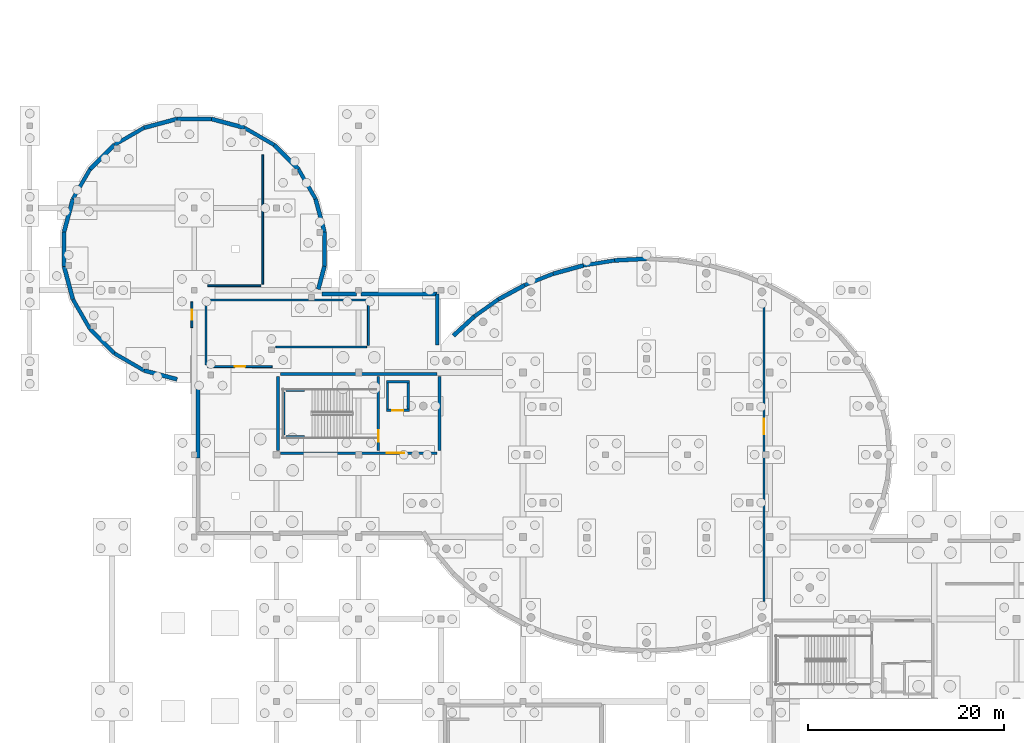
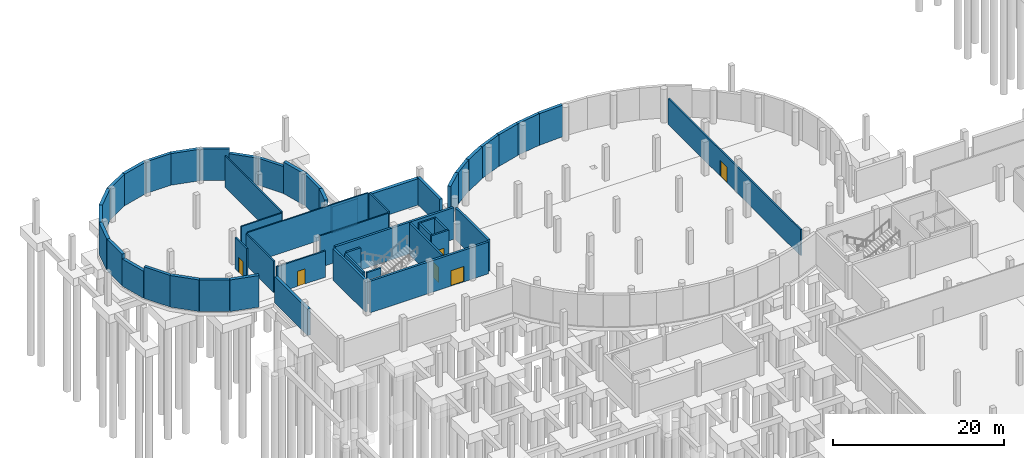
# One storey, part 16 of 24: 51 walls, 6 doors, 6 openings.
"""IFC4 building model written with IfcOpenShell, lengths in metres."""

from ifc_helpers import new_model, si_unit, derived_unit, direction, frame, frame_2d, origin, place, context, subcontext, project, spatial, rectangle, extrude, material, layer, layer_set, type_object, element, fill, save


model = new_model("IFC4")

# Units and contexts
model_context = context("Model", 3, precision=1e-05, world=origin(), true_north=direction((0.0, 1.0)))
body_context = subcontext(model_context, "Body", "Model", "MODEL_VIEW")
ifc_project = project(units=[si_unit("LENGTHUNIT", "METRE"), si_unit("AREAUNIT", "SQUARE_METRE"), si_unit("VOLUMEUNIT", "CUBIC_METRE"), si_unit("PLANEANGLEUNIT", "RADIAN"), si_unit("MASSUNIT", "GRAM", prefix="KILO"), derived_unit("THERMALTRANSMITTANCEUNIT", [(si_unit("POWERUNIT", "WATT"), 1), (si_unit("LENGTHUNIT", "METRE"), -2), (si_unit("THERMODYNAMICTEMPERATUREUNIT", "KELVIN"), -1)])], contexts=[model_context])

# Site, building, storey
site_placement = place(None, origin())
site = spatial("IfcSite", under=ifc_project, at=site_placement, CompositionType="ELEMENT")
building_placement = place(site_placement, origin())
building = spatial("IfcBuilding", under=site, at=building_placement, Name="Elbkamm Science Centre", CompositionType="ELEMENT")
storey_placement = place(building_placement, frame((0.0, 0.0, -4.800048828125)))
storey = spatial("IfcBuildingStorey", under=building, at=storey_placement, Name="B01", CompositionType="ELEMENT", Elevation=-4.800048828125)

# Walls
ifc_material_1 = material(Name="Reinforced concrete C40/50", Category="concrete")
ifc_layer_1 = layer(ifc_material_1, 0.25)
ifc_layer_set_1 = layer_set([ifc_layer_1], Name="Reinforced concrete C40/50")
wall_type_1 = type_object("IfcWallType", Name="WL-CORE-250", PredefinedType="SHEAR", material=ifc_layer_set_1)
wall_1_placement = place(storey_placement, frame((25.93994140625, 69.219970703125, 0.0), z_axis=(0.0, 0.0, 1.0), x_axis=(0.0, 1.0, 0.0)))
element("IfcWall", 1, at=wall_1_placement, inside=storey, type_object=wall_type_1, Name="B01 ST-C1 Shaft Bearing Wall W", PredefinedType="SHEAR", context=body_context, shape_type="SweptSolid", body=[
    extrude(rectangle(XDim=4.360107421875, YDim=0.25, at=frame_2d((2.18017578125, 0.0))), origin(), (0.0, 0.0, 1.0), 4.5),
])
for number, where, z_axis, x_axis, name in (
    (2, (26.18994140625, 69.02001953125, 0.0), (0.0, 0.0, 1.0), (1.0, 0.0, 0.0), "B01 ST-C1 Shaft Bearing Wall S"),
    (3, (26.18994140625, 73.780029296875, 0.0), (0.0, 0.0, 1.0), (1.0, 0.0, 0.0), "B01 ST-C1 Shaft Bearing Wall N"),
):
    element("IfcWall", number, at=place(storey_placement, frame(where, z_axis=z_axis, x_axis=x_axis)), inside=storey, type_object=wall_type_1, Name=name, PredefinedType="SHEAR", context=body_context, shape_type="SweptSolid", body=[
        extrude(rectangle(XDim=1.89013671875, YDim=0.25, at=frame_2d((0.945068359375, 0.0))), origin(), (0.0, 0.0, 1.0), 4.5),
    ])

# Wall, opening, door
wall_2_placement = place(storey_placement, frame((35.6201171875, 67.6201171875, 0.0), z_axis=(0.0, 0.0, 1.0), x_axis=(0.0, 1.0, 0.0)))
wall_2 = element("IfcWall", 4, at=wall_2_placement, inside=storey, type_object=wall_type_1, Name="B01 C1 Stairwell Compartment Wall", PredefinedType="SHEAR", context=body_context, shape_type="SweptSolid", body=[
    extrude(rectangle(XDim=7.559814453125, YDim=0.25, at=frame_2d((3.77978515625, 0.0))), origin(), (0.0, 0.0, 1.0), 4.5),
])
opening_1_placement = place(wall_2_placement, frame((0.89990234375, 0.0, 0.0)))
opening_1 = element("IfcOpeningElement", 5, at=opening_1_placement, cuts=wall_2, Name="Opening DC-02", PredefinedType="OPENING", context=body_context, shape_type="SweptSolid", body=[
    extrude(rectangle(XDim=1.199951171875, YDim=2.199951171875, at=frame_2d((0.60009765625, 1.10009765625))), frame((0.0, 0.136962890625, 0.0), z_axis=(0.0, -1.0, 0.0), x_axis=(1.0, 0.0, 0.0)), (0.0, 0.0, 1.0), 0.27392578125),
])
ifc_material_2 = material(Name="Fire-rated steel acoustic door", Category="steel")
ifc_layer_2 = layer(ifc_material_2, 0.050048828125)
ifc_layer_set_2 = layer_set([ifc_layer_2], Name="Fire-rated steel acoustic door")
door_type_1 = type_object("IfcDoorType", Name="DR-CORE-1200x2200", OperationType="NOTDEFINED", PredefinedType="DOOR", material=ifc_layer_set_2)
door_1_placement = place(opening_1_placement, origin())
door_1 = element("IfcDoor", 6, at=door_1_placement, inside=storey, type_object=door_type_1, Name="B01 ST-C1 Stairwell Fire Door", OperationType="SINGLE_SWING_LEFT", OverallHeight=2.199951171875, OverallWidth=1.199951171875, PredefinedType="DOOR", context=body_context, shape_type="SweptSolid", body=[
    extrude(rectangle(XDim=1.199951171875, YDim=2.199951171875, at=frame_2d((0.60009765625, 1.10009765625))), frame((0.0, 0.02490234375, 0.0), z_axis=(0.0, -1.0, 0.0), x_axis=(1.0, 0.0, 0.0)), (0.0, 0.0, 1.0), 0.050048828125),
])
fill(opening_1, door_1)

ifc_layer_3 = layer(ifc_material_1, 0.300048828125)
ifc_layer_set_3 = layer_set([ifc_layer_3], Name="Reinforced concrete C40/50")
wall_type_2 = type_object("IfcWallType", Name="WL-CORE-300", PredefinedType="SHEAR", material=ifc_layer_set_3)
wall_3_placement = place(storey_placement, frame((25.6201171875, 67.35009765625, 0.0), z_axis=(0.0, 0.0, 1.0), x_axis=(1.0, 0.0, 0.0)))
wall_3 = element("IfcWall", 7, at=wall_3_placement, inside=storey, type_object=wall_type_2, Name="B01 Core C1 Northwest Planetarium and Exhibition Core Shear Wall S", PredefinedType="SHEAR", context=body_context, shape_type="SweptSolid", body=[
    extrude(rectangle(XDim=15.9599609375, YDim=0.300048828125, at=frame_2d((7.97998046875, 0.0))), origin(), (0.0, 0.0, 1.0), 4.5),
])
opening_2_placement = place(wall_3_placement, frame((10.860107421875, 0.0, 0.0)))
opening_2 = element("IfcOpeningElement", 8, at=opening_2_placement, cuts=wall_3, Name="Opening DC-01", PredefinedType="OPENING", context=body_context, shape_type="SweptSolid", body=[
    extrude(rectangle(XDim=1.800048828125, YDim=2.199951171875, at=frame_2d((0.89990234375, 1.10009765625))), frame((0.0, 0.162109375, 0.0), z_axis=(0.0, -1.0, 0.0), x_axis=(1.0, 0.0, 0.0)), (0.0, 0.0, 1.0), 0.323974609375),
])
ifc_layer_4 = layer(ifc_material_2, 0.050048828125)
ifc_layer_set_4 = layer_set([ifc_layer_4], Name="Fire-rated steel acoustic door")
door_type_2 = type_object("IfcDoorType", Name="DR-CORE-1800x2200", OperationType="DOUBLE_DOOR_SINGLE_SWING", PredefinedType="DOOR", material=ifc_layer_set_4)
door_2_placement = place(opening_2_placement, origin())
door_2 = element("IfcDoor", 9, at=door_2_placement, inside=storey, type_object=door_type_2, Name="B01 C1 Core Lobby Fire Door", OperationType="DOUBLE_DOOR_SINGLE_SWING", OverallHeight=2.199951171875, OverallWidth=1.800048828125, PredefinedType="DOOR", context=body_context, shape_type="SweptSolid", body=[
    extrude(rectangle(XDim=1.800048828125, YDim=2.199951171875, at=frame_2d((0.89990234375, 1.10009765625))), frame((0.0, 0.02490234375, 0.0), z_axis=(0.0, -1.0, 0.0), x_axis=(1.0, 0.0, 0.0)), (0.0, 0.0, 1.0), 0.050048828125),
])
fill(opening_2, door_2)

# Walls
wall_4_placement = place(storey_placement, frame((25.6201171875, 75.449951171875, 0.0), z_axis=(0.0, 0.0, 1.0), x_axis=(1.0, 0.0, 0.0)))
element("IfcWall", 10, at=wall_4_placement, inside=storey, type_object=wall_type_2, Name="B01 Core C1 Northwest Planetarium and Exhibition Core Shear Wall N", PredefinedType="SHEAR", context=body_context, shape_type="SweptSolid", body=[
    extrude(rectangle(XDim=15.9599609375, YDim=0.300048828125, at=frame_2d((7.97998046875, 0.0))), origin(), (0.0, 0.0, 1.0), 4.5),
])
for number, where, z_axis, x_axis, name in (
    (11, (25.35009765625, 67.6201171875, 0.0), (0.0, 0.0, 1.0), (0.0, 1.0, 0.0), "B01 Core C1 Northwest Planetarium and Exhibition Core Shear Wall W"),
    (12, (41.85009765625, 67.6201171875, 0.0), (0.0, 0.0, 1.0), (0.0, 1.0, 0.0), "B01 Core C1 Northwest Planetarium and Exhibition Core Shear Wall E"),
):
    element("IfcWall", number, at=place(storey_placement, frame(where, z_axis=z_axis, x_axis=x_axis)), inside=storey, type_object=wall_type_2, Name=name, PredefinedType="SHEAR", context=body_context, shape_type="SweptSolid", body=[
        extrude(rectangle(XDim=7.559814453125, YDim=0.300048828125, at=frame_2d((3.77978515625, 0.0))), origin(), (0.0, 0.0, 1.0), 4.5),
    ])
ifc_material_3 = material(Name="Fire-rated gypsum stud partition", Category="gypsum")
ifc_layer_5 = layer(ifc_material_3, 0.175048828125)
ifc_layer_set_5 = layer_set([ifc_layer_5], Name="Fire-rated gypsum stud partition")
wall_type_3 = type_object("IfcWallType", Name="WL-FIRE-175", PredefinedType="PARTITIONING", material=ifc_layer_set_5)
wall_5_placement = place(storey_placement, frame((18.179931640625, 83.0, 0.0), z_axis=(0.0, 0.0, 1.0), x_axis=(1.0, 0.0, 0.0)))
element("IfcWall", 13, at=wall_5_placement, inside=storey, type_object=wall_type_3, Name="B01 Exhibit Quarantine and Conservation Vault Partition 0007", PredefinedType="PARTITIONING", context=body_context, shape_type="SweptSolid", body=[
    extrude(rectangle(XDim=16.239990234375, YDim=0.175048828125, at=frame_2d((8.1201171875, 0.0))), origin(), (0.0, 0.0, 1.0), 4.5),
])
wall_6_placement = place(storey_placement, frame((34.419921875, 78.199951171875, 0.0), z_axis=(0.0, 0.0, 1.0), x_axis=(-1.0, 0.0, 0.0)))
element("IfcWall", 14, at=wall_6_placement, inside=storey, type_object=wall_type_3, Name="B01 Exhibit Quarantine and Conservation Vault Partition 0009", PredefinedType="PARTITIONING", context=body_context, shape_type="SweptSolid", body=[
    extrude(rectangle(XDim=9.2900390625, YDim=0.175048828125, at=frame_2d((4.64501953125, 0.0))), origin(), (0.0, 0.0, 1.0), 4.5),
])
wall_7_placement = place(storey_placement, frame((18.0, 76.3798828125, 0.0), z_axis=(0.0, 0.0, 1.0), x_axis=(0.0, 1.0, 0.0)))
element("IfcWall", 15, at=wall_7_placement, inside=storey, type_object=wall_type_3, Name="B01 Exhibit Quarantine and Conservation Vault Partition 0011", PredefinedType="PARTITIONING", context=body_context, shape_type="SweptSolid", body=[
    extrude(rectangle(XDim=6.440185546875, YDim=0.175048828125, at=frame_2d((3.22021484375, 0.0))), origin(), (0.0, 0.0, 1.0), 4.5),
])
wall_8_placement = place(storey_placement, frame((23.6201171875, 84.449951171875, 0.0), z_axis=(0.0, 0.0, 1.0), x_axis=(-1.0, 0.0, 0.0)))
element("IfcWall", 16, at=wall_8_placement, inside=storey, type_object=wall_type_3, Name="B01 Sprinkler Tank and Fire Pump Station Partition 0017", PredefinedType="PARTITIONING", context=body_context, shape_type="SweptSolid", body=[
    extrude(rectangle(XDim=5.440185546875, YDim=0.175048828125, at=frame_2d((2.72021484375, 0.0))), origin(), (0.0, 0.0, 1.0), 4.5),
])
wall_9_placement = place(storey_placement, frame((23.800048828125, 97.820068359375, 0.0), z_axis=(0.0, 0.0, 1.0), x_axis=(0.0, -1.0, 0.0)))
element("IfcWall", 17, at=wall_9_placement, inside=storey, type_object=wall_type_3, Name="B01 Sprinkler Tank and Fire Pump Station Partition 0019", PredefinedType="PARTITIONING", context=body_context, shape_type="SweptSolid", body=[
    extrude(rectangle(XDim=13.190185546875, YDim=0.175048828125, at=frame_2d((6.59521484375, 0.0))), origin(), (0.0, 0.0, 1.0), 4.5),
])

# Wall, opening, door
ifc_material_4 = material(Name="Fire-rated acoustic blockwork", Category="masonry")
ifc_layer_6 = layer(ifc_material_4, 0.199951171875)
ifc_layer_set_6 = layer_set([ifc_layer_6], Name="Fire-rated acoustic blockwork")
wall_type_4 = type_object("IfcWallType", Name="WL-FIRE-200", PredefinedType="PARTITIONING", material=ifc_layer_set_6)
wall_10_placement = place(storey_placement, frame((75.0, 83.02001953125, 0.0), z_axis=(0.0, 0.0, 1.0), x_axis=(0.0, -1.0, 0.0)))
wall_10 = element("IfcWall", 18, at=wall_10_placement, inside=storey, type_object=wall_type_4, Name="B01 Natural History Specimen Archive Partition 0006", PredefinedType="PARTITIONING", context=body_context, shape_type="SweptSolid", body=[
    extrude(rectangle(XDim=30.840087890625, YDim=0.199951171875, at=frame_2d((15.419921875, 0.0))), origin(), (0.0, 0.0, 1.0), 3.699951171875),
])
opening_3_placement = place(wall_10_placement, frame((12.15283203125, 0.0, 0.0)))
opening_3 = element("IfcOpeningElement", 19, at=opening_3_placement, cuts=wall_10, Name="Opening DF-01", PredefinedType="OPENING", context=body_context, shape_type="SweptSolid", body=[
    extrude(rectangle(XDim=1.60009765625, YDim=2.199951171875, at=frame_2d((0.800048828125, 1.10009765625))), frame((0.0, 0.11181640625, 0.0), z_axis=(0.0, -1.0, 0.0), x_axis=(1.0, 0.0, 0.0)), (0.0, 0.0, 1.0), 0.223876953125),
])
ifc_material_5 = material(Name="Fire-rated timber acoustic door", Category="wood")
ifc_layer_7 = layer(ifc_material_5, 0.050048828125)
ifc_layer_set_7 = layer_set([ifc_layer_7], Name="Fire-rated timber acoustic door")
door_type_3 = type_object("IfcDoorType", Name="DR-FIRE-1600x2200", OperationType="DOUBLE_DOOR_SINGLE_SWING", PredefinedType="DOOR", material=ifc_layer_set_7)
door_3_placement = place(opening_3_placement, origin())
door_3 = element("IfcDoor", 20, at=door_3_placement, inside=storey, type_object=door_type_3, Name="B01 Natural History Specimen Archive Door", OperationType="DOUBLE_DOOR_SINGLE_SWING", OverallHeight=2.199951171875, OverallWidth=1.60009765625, PredefinedType="DOOR", context=body_context, shape_type="SweptSolid", body=[
    extrude(rectangle(XDim=1.60009765625, YDim=2.199951171875, at=frame_2d((0.800048828125, 1.10009765625))), frame((0.0, 0.02490234375, 0.0), z_axis=(0.0, -1.0, 0.0), x_axis=(1.0, 0.0, 0.0)), (0.0, 0.0, 1.0), 0.050048828125),
])
fill(opening_3, door_3)

# Wall
wall_11_placement = place(storey_placement, frame((34.60009765625, 82.820068359375, 0.0), z_axis=(0.0, 0.0, 1.0), x_axis=(0.0, -1.0, 0.0)))
element("IfcWall", 21, at=wall_11_placement, inside=storey, type_object=wall_type_4, Name="B01 Exhibit Quarantine and Conservation Vault Partition 0008", PredefinedType="PARTITIONING", context=body_context, shape_type="SweptSolid", body=[
    extrude(rectangle(XDim=4.440185546875, YDim=0.199951171875, at=frame_2d((2.22021484375, 0.0))), origin(), (0.0, 0.0, 1.0), 4.5),
])

# Wall, opening, door
wall_12_placement = place(storey_placement, frame((24.77001953125, 76.199951171875, 0.0), z_axis=(0.0, 0.0, 1.0), x_axis=(-1.0, 0.0, 0.0)))
wall_12 = element("IfcWall", 22, at=wall_12_placement, inside=storey, type_object=wall_type_4, Name="B01 Exhibit Quarantine and Conservation Vault Partition 0010", PredefinedType="PARTITIONING", context=body_context, shape_type="SweptSolid", body=[
    extrude(rectangle(XDim=6.590087890625, YDim=0.199951171875, at=frame_2d((3.294921875, 0.0))), origin(), (0.0, 0.0, 1.0), 3.75),
])
opening_4_placement = place(wall_12_placement, frame((2.77001953125, 0.0, 0.0)))
opening_4 = element("IfcOpeningElement", 23, at=opening_4_placement, cuts=wall_12, Name="Opening DF-02", PredefinedType="OPENING", context=body_context, shape_type="SweptSolid", body=[
    extrude(rectangle(XDim=1.050048828125, YDim=2.14990234375, at=frame_2d((0.52490234375, 1.074951171875))), frame((0.0, 0.11181640625, 0.0), z_axis=(0.0, -1.0, 0.0), x_axis=(1.0, 0.0, 0.0)), (0.0, 0.0, 1.0), 0.223876953125),
])
ifc_layer_8 = layer(ifc_material_5, 0.050048828125)
ifc_layer_set_8 = layer_set([ifc_layer_8], Name="Fire-rated timber acoustic door")
door_type_4 = type_object("IfcDoorType", Name="DR-FIRE-1050x2150", OperationType="NOTDEFINED", PredefinedType="DOOR", material=ifc_layer_set_8)
door_4_placement = place(opening_4_placement, origin())
door_4 = element("IfcDoor", 24, at=door_4_placement, inside=storey, type_object=door_type_4, Name="B01 Exhibit Quarantine and Conservation Vault Door", OperationType="SINGLE_SWING_RIGHT", OverallHeight=2.14990234375, OverallWidth=1.050048828125, PredefinedType="DOOR", context=body_context, shape_type="SweptSolid", body=[
    extrude(rectangle(XDim=1.050048828125, YDim=2.14990234375, at=frame_2d((0.52490234375, 1.074951171875))), frame((0.0, 0.02490234375, 0.0), z_axis=(0.0, -1.0, 0.0), x_axis=(1.0, 0.0, 0.0)), (0.0, 0.0, 1.0), 0.050048828125),
])
fill(opening_4, door_4)

wall_13_placement = place(storey_placement, frame((16.550048828125, 82.820068359375, 0.0), z_axis=(0.0, 0.0, 1.0), x_axis=(0.0, -1.0, 0.0)))
wall_13 = element("IfcWall", 25, at=wall_13_placement, inside=storey, type_object=wall_type_4, Name="B01 Sprinkler Tank and Fire Pump Station Partition 0018", PredefinedType="PARTITIONING", context=body_context, shape_type="SweptSolid", body=[
    extrude(rectangle(XDim=2.64013671875, YDim=0.199951171875, at=frame_2d((1.320068359375, 0.0))), origin(), (0.0, 0.0, 1.0), 4.5),
])
opening_5_placement = place(wall_13_placement, frame((0.794921875, 0.0, 0.0)))
opening_5 = element("IfcOpeningElement", 26, at=opening_5_placement, cuts=wall_13, Name="Opening DF-02", PredefinedType="OPENING", context=body_context, shape_type="SweptSolid", body=[
    extrude(rectangle(XDim=1.050048828125, YDim=2.14990234375, at=frame_2d((0.52490234375, 1.074951171875))), frame((0.0, 0.11181640625, 0.0), z_axis=(0.0, -1.0, 0.0), x_axis=(1.0, 0.0, 0.0)), (0.0, 0.0, 1.0), 0.223876953125),
])
door_5_placement = place(opening_5_placement, origin())
door_5 = element("IfcDoor", 27, at=door_5_placement, inside=storey, type_object=door_type_4, Name="B01 Sprinkler Tank and Fire Pump Station Door", OperationType="SINGLE_SWING_RIGHT", OverallHeight=2.14990234375, OverallWidth=1.050048828125, PredefinedType="DOOR", context=body_context, shape_type="SweptSolid", body=[
    extrude(rectangle(XDim=1.050048828125, YDim=2.14990234375, at=frame_2d((0.52490234375, 1.074951171875))), frame((0.0, 0.02490234375, 0.0), z_axis=(0.0, -1.0, 0.0), x_axis=(1.0, 0.0, 0.0)), (0.0, 0.0, 1.0), 0.050048828125),
])
fill(opening_5, door_5)

# Walls
ifc_material_6 = material(Name="Waterproof concrete C35/45", Category="concrete")
ifc_layer_9 = layer(ifc_material_6, 0.3798828125)
ifc_layer_set_9 = layer_set([ifc_layer_9], Name="Waterproof concrete C35/45")
wall_type_5 = type_object("IfcWallType", Name="WL-RET-380", PredefinedType="USERDEFINED", material=ifc_layer_set_9)
wall_14_placement = place(storey_placement, frame((17.179931640625, 66.84912109375, 0.0), z_axis=(0.0, 0.0, 1.0), x_axis=(0.0, 1.0, 0.0)))
element("IfcWall", 28, at=wall_14_placement, inside=storey, type_object=wall_type_5, Name="B01 Exterior Wall 0023", ObjectType="RETAININGWALL", PredefinedType="USERDEFINED", context=body_context, shape_type="SweptSolid", body=[
    extrude(rectangle(XDim=7.6689453125, YDim=0.3798828125, at=frame_2d((3.83447265625, 0.0))), origin(), (0.0, 0.0, 1.0), 3.75),
])
wall_15_placement = place(storey_placement, frame((11.665771484375, 75.8046875, 0.0), z_axis=(0.0, 0.0, 1.0), x_axis=(-0.866042820954, 0.499969831364, 0.0)))
element("IfcWall", 29, at=wall_15_placement, inside=storey, type_object=wall_type_5, Name="B01 Exterior Wall 0025", ObjectType="RETAININGWALL", PredefinedType="USERDEFINED", context=body_context, shape_type="SweptSolid", body=[
    extrude(rectangle(XDim=3.502685546875, YDim=0.3798828125, at=frame_2d((1.75146484375, 0.0))), origin(), (0.0, 0.0, 1.0), 4.5),
])
wall_16_placement = place(storey_placement, frame((6.15576171875, 80.032470703125, 0.0), z_axis=(0.0, 0.0, 1.0), x_axis=(-0.500000013362, 0.86602539607, 0.0)))
element("IfcWall", 30, at=wall_16_placement, inside=storey, type_object=wall_type_5, Name="B01 Exterior Wall 0027", ObjectType="RETAININGWALL", PredefinedType="USERDEFINED", context=body_context, shape_type="SweptSolid", body=[
    extrude(rectangle(XDim=3.50244140625, YDim=0.3798828125, at=frame_2d((1.751220703125, 0.0))), origin(), (0.0, 0.0, 1.0), 4.5),
])
for number, where, z_axis, x_axis, name in (
    (31, (3.498046875, 86.44873046875, 0.0), (0.0, 0.0, 1.0), (0.0, 1.0, 0.0), "B01 Exterior Wall 0029"),
    (32, (4.404541015625, 93.334228515625, 0.0), (0.0, 0.0, 1.0), (0.499969831364, 0.866042820954, 0.0), "B01 Exterior Wall 0031"),
    (33, (8.63232421875, 98.84423828125, 0.0), (0.0, 0.0, 1.0), (0.866042820954, 0.499969831364, 0.0), "B01 Exterior Wall 0033"),
    (34, (15.048583984375, 101.501953125, 0.0), (0.0, 0.0, 1.0), (1.0, 0.0, 0.0), "B01 Exterior Wall 0035"),
):
    element("IfcWall", number, at=place(storey_placement, frame(where, z_axis=z_axis, x_axis=x_axis)), inside=storey, type_object=wall_type_5, Name=name, ObjectType="RETAININGWALL", PredefinedType="USERDEFINED", context=body_context, shape_type="SweptSolid", body=[
        extrude(rectangle(XDim=3.502685546875, YDim=0.3798828125, at=frame_2d((1.75146484375, 0.0))), origin(), (0.0, 0.0, 1.0), 4.5),
    ])
wall_17_placement = place(storey_placement, frame((21.934326171875, 100.595458984375, 0.0), z_axis=(0.0, 0.0, 1.0), x_axis=(0.86602539607, -0.500000013362, 0.0)))
element("IfcWall", 35, at=wall_17_placement, inside=storey, type_object=wall_type_5, Name="B01 Exterior Wall 0037", ObjectType="RETAININGWALL", PredefinedType="USERDEFINED", context=body_context, shape_type="SweptSolid", body=[
    extrude(rectangle(XDim=3.50244140625, YDim=0.3798828125, at=frame_2d((1.751220703125, 0.0))), origin(), (0.0, 0.0, 1.0), 4.5),
])
wall_18_placement = place(storey_placement, frame((27.444091796875, 96.36767578125, 0.0), z_axis=(0.0, 0.0, 1.0), x_axis=(0.499969831364, -0.866042820954, 0.0)))
element("IfcWall", 36, at=wall_18_placement, inside=storey, type_object=wall_type_5, Name="B01 Exterior Wall 0039", ObjectType="RETAININGWALL", PredefinedType="USERDEFINED", context=body_context, shape_type="SweptSolid", body=[
    extrude(rectangle(XDim=3.502685546875, YDim=0.3798828125, at=frame_2d((1.75146484375, 0.0))), origin(), (0.0, 0.0, 1.0), 3.85009765625),
])
wall_19_placement = place(storey_placement, frame((30.101806640625, 89.951416015625, 0.0), z_axis=(0.0, 0.0, 1.0), x_axis=(0.0, -1.0, 0.0)))
element("IfcWall", 37, at=wall_19_placement, inside=storey, type_object=wall_type_5, Name="B01 Exterior Wall 0041", ObjectType="RETAININGWALL", PredefinedType="USERDEFINED", context=body_context, shape_type="SweptSolid", body=[
    extrude(rectangle(XDim=3.502685546875, YDim=0.3798828125, at=frame_2d((1.75146484375, 0.0))), origin(), (0.0, 0.0, 1.0), 4.5),
])
wall_20_placement = place(storey_placement, frame((29.839111328125, 83.6201171875, 0.0), z_axis=(0.0, 0.0, 1.0), x_axis=(1.0, 0.0, 0.0)))
element("IfcWall", 38, at=wall_20_placement, inside=storey, type_object=wall_type_5, Name="B01 Exterior Wall 0043", ObjectType="RETAININGWALL", PredefinedType="USERDEFINED", context=body_context, shape_type="SweptSolid", body=[
    extrude(rectangle(XDim=3.521728515625, YDim=0.3798828125, at=frame_2d((1.7607421875, 0.0))), origin(), (0.0, 0.0, 1.0), 3.75),
])
wall_21_placement = place(storey_placement, frame((41.6201171875, 83.6201171875, 0.0), z_axis=(0.0, 0.0, 1.0), x_axis=(0.0, -1.0, 0.0)))
element("IfcWall", 39, at=wall_21_placement, inside=storey, type_object=wall_type_5, Name="B01 Exterior Wall 0045", ObjectType="RETAININGWALL", PredefinedType="USERDEFINED", context=body_context, shape_type="SweptSolid", body=[
    extrude(rectangle(XDim=5.221923828125, YDim=0.3798828125, at=frame_2d((2.61083984375, 0.0))), origin(), (0.0, 0.0, 1.0), 3.85009765625),
])
wall_22_placement = place(storey_placement, frame((45.420654296875, 81.329345703125, 0.0), z_axis=(0.0, 0.0, 1.0), x_axis=(0.815422656684, 0.578866038879, 0.0)))
element("IfcWall", 40, at=wall_22_placement, inside=storey, type_object=wall_type_5, Name="B01 Exterior Wall 0047", ObjectType="RETAININGWALL", PredefinedType="USERDEFINED", context=body_context, shape_type="SweptSolid", body=[
    extrude(rectangle(XDim=2.991943359375, YDim=0.3798828125, at=frame_2d((1.49609375, 0.0))), origin(), (0.0, 0.0, 1.0), 4.5),
])
wall_23_placement = place(storey_placement, frame((50.561279296875, 84.522216796875, 0.0), z_axis=(0.0, 0.0, 1.0), x_axis=(0.928744558403, 0.370720305941, 0.0)))
element("IfcWall", 41, at=wall_23_placement, inside=storey, type_object=wall_type_5, Name="B01 Exterior Wall 0049", ObjectType="RETAININGWALL", PredefinedType="USERDEFINED", context=body_context, shape_type="SweptSolid", body=[
    extrude(rectangle(XDim=3.139892578125, YDim=0.3798828125, at=frame_2d((1.56982421875, 0.0))), origin(), (0.0, 0.0, 1.0), 4.5),
])
wall_24_placement = place(storey_placement, frame((56.55859375, 86.532958984375, 0.0), z_axis=(0.0, 0.0, 1.0), x_axis=(0.987278994565, 0.158997443034, 0.0)))
element("IfcWall", 42, at=wall_24_placement, inside=storey, type_object=wall_type_5, Name="B01 Exterior Wall 0051", ObjectType="RETAININGWALL", PredefinedType="USERDEFINED", context=body_context, shape_type="SweptSolid", body=[
    extrude(rectangle(XDim=3.233642578125, YDim=0.3798828125, at=frame_2d((1.61669921875, 0.0))), origin(), (0.0, 0.0, 1.0), 4.5),
])
ifc_layer_10 = layer(ifc_material_6, 0.419921875)
ifc_layer_set_10 = layer_set([ifc_layer_10], Name="Waterproof concrete C35/45")
wall_type_6 = type_object("IfcWallType", Name="WL-RET-420", PredefinedType="USERDEFINED", material=ifc_layer_set_10)
wall_25_placement = place(storey_placement, frame((15.048583984375, 74.898193359375, 0.0), z_axis=(0.0, 0.0, 1.0), x_axis=(-0.965920667636, 0.25883829669, 0.0)))
element("IfcWall", 43, at=wall_25_placement, inside=storey, type_object=wall_type_6, Name="B01 Exterior Wall 0024", ObjectType="RETAININGWALL", PredefinedType="USERDEFINED", context=body_context, shape_type="SweptSolid", body=[
    extrude(rectangle(XDim=3.502197265625, YDim=0.419921875, at=frame_2d((1.7509765625, 0.0))), origin(), (0.0, 0.0, 1.0), 4.5),
])
wall_26_placement = place(storey_placement, frame((8.63232421875, 77.555908203125, 0.0), z_axis=(0.0, 0.0, 1.0), x_axis=(-0.707106781187, 0.707106781187, 0.0)))
element("IfcWall", 44, at=wall_26_placement, inside=storey, type_object=wall_type_6, Name="B01 Exterior Wall 0026", ObjectType="RETAININGWALL", PredefinedType="USERDEFINED", context=body_context, shape_type="SweptSolid", body=[
    extrude(rectangle(XDim=3.50244140625, YDim=0.419921875, at=frame_2d((1.751220703125, 0.0))), origin(), (0.0, 0.0, 1.0), 4.5),
])
wall_27_placement = place(storey_placement, frame((4.404541015625, 83.065673828125, 0.0), z_axis=(0.0, 0.0, 1.0), x_axis=(-0.258820868777, 0.965925337635, 0.0)))
element("IfcWall", 45, at=wall_27_placement, inside=storey, type_object=wall_type_6, Name="B01 Exterior Wall 0028", ObjectType="RETAININGWALL", PredefinedType="USERDEFINED", context=body_context, shape_type="SweptSolid", body=[
    extrude(rectangle(XDim=3.50244140625, YDim=0.419921875, at=frame_2d((1.751220703125, 0.0))), origin(), (0.0, 0.0, 1.0), 3.85009765625),
])
wall_28_placement = place(storey_placement, frame((3.498046875, 89.951416015625, 0.0), z_axis=(0.0, 0.0, 1.0), x_axis=(0.25883829669, 0.965920667636, 0.0)))
element("IfcWall", 46, at=wall_28_placement, inside=storey, type_object=wall_type_6, Name="B01 Exterior Wall 0030", ObjectType="RETAININGWALL", PredefinedType="USERDEFINED", context=body_context, shape_type="SweptSolid", body=[
    extrude(rectangle(XDim=3.502197265625, YDim=0.419921875, at=frame_2d((1.7509765625, 0.0))), origin(), (0.0, 0.0, 1.0), 4.5),
])
wall_29_placement = place(storey_placement, frame((6.15576171875, 96.36767578125, 0.0), z_axis=(0.0, 0.0, 1.0), x_axis=(0.707106781187, 0.707106781187, 0.0)))
element("IfcWall", 47, at=wall_29_placement, inside=storey, type_object=wall_type_6, Name="B01 Exterior Wall 0032", ObjectType="RETAININGWALL", PredefinedType="USERDEFINED", context=body_context, shape_type="SweptSolid", body=[
    extrude(rectangle(XDim=3.50244140625, YDim=0.419921875, at=frame_2d((1.751220703125, 0.0))), origin(), (0.0, 0.0, 1.0), 4.5),
])
wall_30_placement = place(storey_placement, frame((11.665771484375, 100.595458984375, 0.0), z_axis=(0.0, 0.0, 1.0), x_axis=(0.965920667636, 0.25883829669, 0.0)))
element("IfcWall", 48, at=wall_30_placement, inside=storey, type_object=wall_type_6, Name="B01 Exterior Wall 0034", ObjectType="RETAININGWALL", PredefinedType="USERDEFINED", context=body_context, shape_type="SweptSolid", body=[
    extrude(rectangle(XDim=3.502197265625, YDim=0.419921875, at=frame_2d((1.7509765625, 0.0))), origin(), (0.0, 0.0, 1.0), 4.5),
])
wall_31_placement = place(storey_placement, frame((18.55126953125, 101.501953125, 0.0), z_axis=(0.0, 0.0, 1.0), x_axis=(0.965925337635, -0.258820868777, 0.0)))
element("IfcWall", 49, at=wall_31_placement, inside=storey, type_object=wall_type_6, Name="B01 Exterior Wall 0036", ObjectType="RETAININGWALL", PredefinedType="USERDEFINED", context=body_context, shape_type="SweptSolid", body=[
    extrude(rectangle(XDim=3.50244140625, YDim=0.419921875, at=frame_2d((1.751220703125, 0.0))), origin(), (0.0, 0.0, 1.0), 4.5),
])
wall_32_placement = place(storey_placement, frame((24.967529296875, 98.84423828125, 0.0), z_axis=(0.0, 0.0, 1.0), x_axis=(0.707106781187, -0.707106781187, 0.0)))
element("IfcWall", 50, at=wall_32_placement, inside=storey, type_object=wall_type_6, Name="B01 Exterior Wall 0038", ObjectType="RETAININGWALL", PredefinedType="USERDEFINED", context=body_context, shape_type="SweptSolid", body=[
    extrude(rectangle(XDim=3.50244140625, YDim=0.419921875, at=frame_2d((1.751220703125, 0.0))), origin(), (0.0, 0.0, 1.0), 3.85009765625),
])
wall_33_placement = place(storey_placement, frame((29.1953125, 93.334228515625, 0.0), z_axis=(0.0, 0.0, 1.0), x_axis=(0.25883829669, -0.965920667636, 0.0)))
element("IfcWall", 51, at=wall_33_placement, inside=storey, type_object=wall_type_6, Name="B01 Exterior Wall 0040", ObjectType="RETAININGWALL", PredefinedType="USERDEFINED", context=body_context, shape_type="SweptSolid", body=[
    extrude(rectangle(XDim=3.502197265625, YDim=0.419921875, at=frame_2d((1.7509765625, 0.0))), origin(), (0.0, 0.0, 1.0), 4.5),
])
wall_34_placement = place(storey_placement, frame((30.101806640625, 86.44873046875, 0.0), z_axis=(0.0, 0.0, 1.0), x_axis=(-0.258767848858, -0.965939542827, 0.0)))
element("IfcWall", 52, at=wall_34_placement, inside=storey, type_object=wall_type_6, Name="B01 Exterior Wall 0042", ObjectType="RETAININGWALL", PredefinedType="USERDEFINED", context=body_context, shape_type="SweptSolid", body=[
    extrude(rectangle(XDim=2.43310546875, YDim=0.419921875, at=frame_2d((1.216552734375, 0.0))), origin(), (0.0, 0.0, 1.0), 4.5),
])
wall_35_placement = place(storey_placement, frame((33.839111328125, 83.6201171875, 0.0), z_axis=(0.0, 0.0, 1.0), x_axis=(1.0, 0.0, 0.0)))
element("IfcWall", 53, at=wall_35_placement, inside=storey, type_object=wall_type_6, Name="B01 Exterior Wall 0044", ObjectType="RETAININGWALL", PredefinedType="USERDEFINED", context=body_context, shape_type="SweptSolid", body=[
    extrude(rectangle(XDim=7.781005859375, YDim=0.419921875, at=frame_2d((3.890625, 0.0))), origin(), (0.0, 0.0, 1.0), 3.75),
])
wall_36_placement = place(storey_placement, frame((43.2841796875, 79.35693359375, 0.0), z_axis=(0.0, 0.0, 1.0), x_axis=(0.734755157667, 0.678332409872, 0.0)))
element("IfcWall", 54, at=wall_36_placement, inside=storey, type_object=wall_type_6, Name="B01 Exterior Wall 0046", ObjectType="RETAININGWALL", PredefinedType="USERDEFINED", context=body_context, shape_type="SweptSolid", body=[
    extrude(rectangle(XDim=2.90771484375, YDim=0.419921875, at=frame_2d((1.453857421875, 0.0))), origin(), (0.0, 0.0, 1.0), 4.5),
])
wall_37_placement = place(storey_placement, frame((47.8603515625, 83.061279296875, 0.0), z_axis=(0.0, 0.0, 1.0), x_axis=(0.879573445019, 0.475763128897, 0.0)))
element("IfcWall", 55, at=wall_37_placement, inside=storey, type_object=wall_type_6, Name="B01 Exterior Wall 0048", ObjectType="RETAININGWALL", PredefinedType="USERDEFINED", context=body_context, shape_type="SweptSolid", body=[
    extrude(rectangle(XDim=3.07080078125, YDim=0.419921875, at=frame_2d((1.535400390625, 0.0))), origin(), (0.0, 0.0, 1.0), 4.5),
])
wall_38_placement = place(storey_placement, frame((53.4775390625, 85.686279296875, 0.0), z_axis=(0.0, 0.0, 1.0), x_axis=(0.964254212891, 0.264978891466, 0.0)))
element("IfcWall", 56, at=wall_38_placement, inside=storey, type_object=wall_type_6, Name="B01 Exterior Wall 0050", ObjectType="RETAININGWALL", PredefinedType="USERDEFINED", context=body_context, shape_type="SweptSolid", body=[
    extrude(rectangle(XDim=3.1953125, YDim=0.419921875, at=frame_2d((1.59765625, 0.0))), origin(), (0.0, 0.0, 1.0), 4.5),
])
wall_39_placement = place(storey_placement, frame((59.751220703125, 87.047119140625, 0.0), z_axis=(0.0, 0.0, 1.0), x_axis=(0.998595559221, 0.052980270896, 0.0)))
element("IfcWall", 57, at=wall_39_placement, inside=storey, type_object=wall_type_6, Name="B01 Exterior Wall 0052", ObjectType="RETAININGWALL", PredefinedType="USERDEFINED", context=body_context, shape_type="SweptSolid", body=[
    extrude(rectangle(XDim=3.25341796875, YDim=0.419921875, at=frame_2d((1.626708984375, 0.0))), origin(), (0.0, 0.0, 1.0), 4.5),
])
ifc_layer_11 = layer(ifc_material_1, 0.219970703125)
ifc_layer_set_11 = layer_set([ifc_layer_11], Name="Reinforced concrete C40/50")
wall_type_7 = type_object("IfcWallType", Name="WL-SHAFT-220", PredefinedType="SOLIDWALL", material=ifc_layer_set_11)
for number, where, z_axis, x_axis, name in (
    (58, (36.5400390625, 71.85009765625, 0.0), (0.0, 0.0, 1.0), (0.0, 1.0, 0.0), "B01 Lift FF1 Shaft West Wall"),
    (59, (38.659912109375, 71.85009765625, 0.0), (0.0, 0.0, 1.0), (0.0, 1.0, 0.0), "B01 Lift FF1 Shaft East Wall"),
):
    element("IfcWall", number, at=place(storey_placement, frame(where, z_axis=z_axis, x_axis=x_axis)), inside=storey, type_object=wall_type_7, Name=name, PredefinedType="SOLIDWALL", context=body_context, shape_type="SweptSolid", body=[
        extrude(rectangle(XDim=2.699951171875, YDim=0.219970703125, at=frame_2d((1.35009765625, 0.0))), origin(), (0.0, 0.0, 1.0), 4.5),
    ])
wall_40_placement = place(storey_placement, frame((36.429931640625, 74.659912109375, 0.0), z_axis=(0.0, 0.0, 1.0), x_axis=(1.0, 0.0, 0.0)))
element("IfcWall", 60, at=wall_40_placement, inside=storey, type_object=wall_type_7, Name="B01 Lift FF1 Shaft Back Wall", PredefinedType="SOLIDWALL", context=body_context, shape_type="SweptSolid", body=[
    extrude(rectangle(XDim=2.340087890625, YDim=0.219970703125, at=frame_2d((1.169921875, 0.0))), origin(), (0.0, 0.0, 1.0), 4.5),
])

# Wall, opening, door
wall_41_placement = place(storey_placement, frame((36.429931640625, 71.739990234375, 0.0), z_axis=(0.0, 0.0, 1.0), x_axis=(1.0, 0.0, 0.0)))
wall_41 = element("IfcWall", 61, at=wall_41_placement, inside=storey, type_object=wall_type_7, Name="B01 Lift FF1 Shaft Front Wall", PredefinedType="SOLIDWALL", context=body_context, shape_type="SweptSolid", body=[
    extrude(rectangle(XDim=2.340087890625, YDim=0.219970703125, at=frame_2d((1.169921875, 0.0))), origin(), (0.0, 0.0, 1.0), 4.5),
])
opening_6_placement = place(wall_41_placement, frame((0.6201171875, 0.0, 0.0)))
opening_6 = element("IfcOpeningElement", 62, at=opening_6_placement, cuts=wall_41, Name="Opening LD-01", PredefinedType="OPENING", context=body_context, shape_type="SweptSolid", body=[
    extrude(rectangle(XDim=1.10009765625, YDim=2.14990234375, at=frame_2d((0.550048828125, 1.074951171875))), frame((0.0, 0.1220703125, 0.0), z_axis=(0.0, -1.0, 0.0), x_axis=(1.0, 0.0, 0.0)), (0.0, 0.0, 1.0), 0.243896484375),
])
ifc_material_7 = material(Name="Stainless steel lift landing door", Category="steel")
ifc_layer_12 = layer(ifc_material_7, 0.050048828125)
ifc_layer_set_12 = layer_set([ifc_layer_12], Name="Stainless steel lift landing door")
door_type_5 = type_object("IfcDoorType", Name="DR-LIFT-1100x2150", OperationType="DOUBLE_DOOR_SLIDING", PredefinedType="DOOR", material=ifc_layer_set_12)
door_6_placement = place(opening_6_placement, origin())
door_6 = element("IfcDoor", 63, at=door_6_placement, inside=storey, type_object=door_type_5, Name="B01 Lift FF1 Sliding Landing Door", OperationType="DOUBLE_DOOR_SLIDING", OverallHeight=2.14990234375, OverallWidth=1.10009765625, PredefinedType="DOOR", context=body_context, shape_type="SweptSolid", body=[
    extrude(rectangle(XDim=1.10009765625, YDim=2.14990234375, at=frame_2d((0.550048828125, 1.074951171875))), frame((0.0, 0.02490234375, 0.0), z_axis=(0.0, -1.0, 0.0), x_axis=(1.0, 0.0, 0.0)), (0.0, 0.0, 1.0), 0.050048828125),
])
fill(opening_6, door_6)

save(model, "model.ifc")
